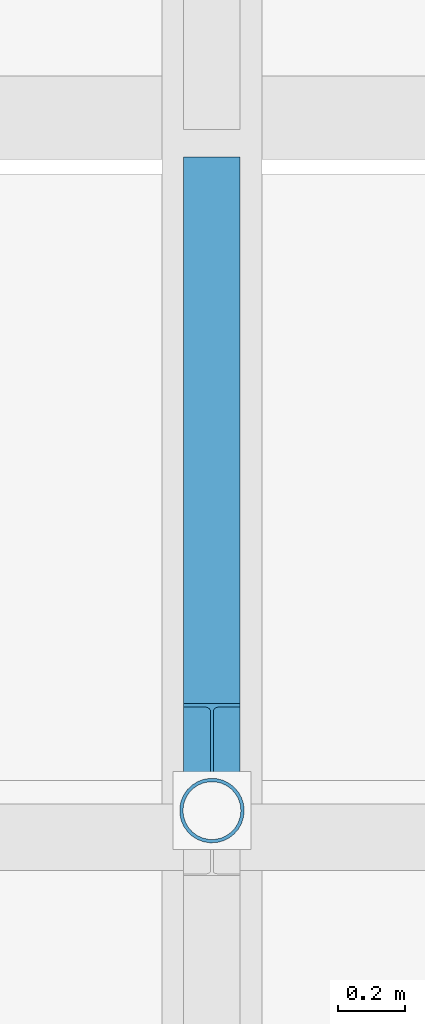
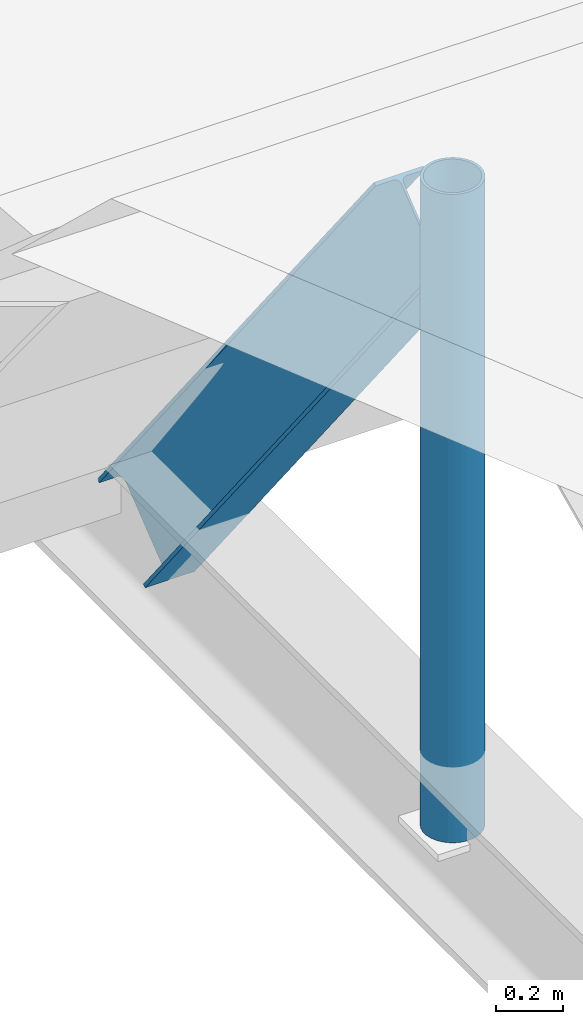
# One storey, part 77 of 138: 1 beam, 1 member.
"""IFC4 building model written with IfcOpenShell, lengths in metres."""

from ifc_helpers import new_model, si_unit, direction, frame, origin, origin_2d, place, context, subcontext, project, spatial, hollow_circle, i_section, extrude, material, material_profile, profile_set, type_object, element, save


model = new_model("IFC4")

# Units and contexts
model_context = context("Model", 3, precision=1e-05, world=origin(), true_north=direction((0.0, 1.0)))
body_context = subcontext(model_context, "Body", "Model", "MODEL_VIEW")
ifc_project = project(units=[si_unit("LENGTHUNIT", "METRE"), si_unit("AREAUNIT", "SQUARE_METRE"), si_unit("VOLUMEUNIT", "CUBIC_METRE"), si_unit("PLANEANGLEUNIT", "RADIAN"), si_unit("MASSUNIT", "GRAM", prefix="KILO")], contexts=[model_context])

# Site, building, storey
site_placement = place(None, origin())
site = spatial("IfcSite", under=ifc_project, at=site_placement, CompositionType="ELEMENT")
building_placement = place(site_placement, origin())
building = spatial("IfcBuilding", under=site, at=building_placement, Name="Vinh Khe Railworks Police Headquarters", CompositionType="ELEMENT")
storey_placement = place(building_placement, frame((0.0, 0.0, 9.0)))
storey = spatial("IfcBuildingStorey", under=building, at=storey_placement, Name="L02", CompositionType="ELEMENT", Elevation=9.0)

# Member
ifc_material = material(Name="Steel S355JR", Category="steel")
ifc_material_profile_1 = material_profile(ifc_material, hollow_circle(Radius=0.096923828125, WallThickness=0.010009765625, at=origin_2d()), Name="CHS 193.7x10")
ifc_profile_set_1 = profile_set([ifc_material_profile_1], Name="Steel S355JR")
member_type = type_object("IfcMemberType", Name="Roof Strut CHS 193.7x10", PredefinedType="STRUT", material=ifc_profile_set_1)
member_placement = place(storey_placement, frame((46.199951171875, 157.300048828125, 0.199951171875), z_axis=(0.0, 0.0, 1.0), x_axis=(1.0, 0.0, 0.0)))
element("IfcMember", 1, at=member_placement, inside=storey, type_object=member_type, Name="Sawtooth Ridge Post 3", PredefinedType="STRUT", context=body_context, shape_type="SweptSolid", body=[
    extrude(hollow_circle(Radius=0.096923828125, WallThickness=0.010009765625, at=origin_2d()), origin(), (0.0, 0.0, 1.0), 2.35009765625),
])

# Beam
ifc_material_profile_2 = material_profile(ifc_material, i_section(OverallWidth=0.169921875, OverallDepth=0.360107421875, WebThickness=0.008056640625, FlangeThickness=0.0126953125, FilletRadius=0.01806640625, at=origin_2d()), Name="IPE 360")
ifc_profile_set_2 = profile_set([ifc_material_profile_2], Name="Steel S355JR")
beam_type = type_object("IfcBeamType", Name="Steel Girder IPE 360", PredefinedType="BEAM", material=ifc_profile_set_2)
beam_placement = place(storey_placement, frame((46.199951171875, 157.47998046875, 2.25), z_axis=(0.0, 0.621013068577, -0.783800209656), x_axis=(-1.0, 0.0, 0.0)))
element("IfcBeam", 2, at=beam_placement, inside=storey, type_object=beam_type, Name="Sawtooth Clerestory Girder 3N", PredefinedType="BEAM", context=body_context, shape_type="SweptSolid", body=[
    extrude(i_section(OverallWidth=0.169921875, OverallDepth=0.360107421875, WebThickness=0.008056640625, FlangeThickness=0.0126953125, FilletRadius=0.01806640625, at=origin_2d()), origin(), (0.0, 0.0, 1.0), 2.64111328125),
])

save(model, "model.ifc")
